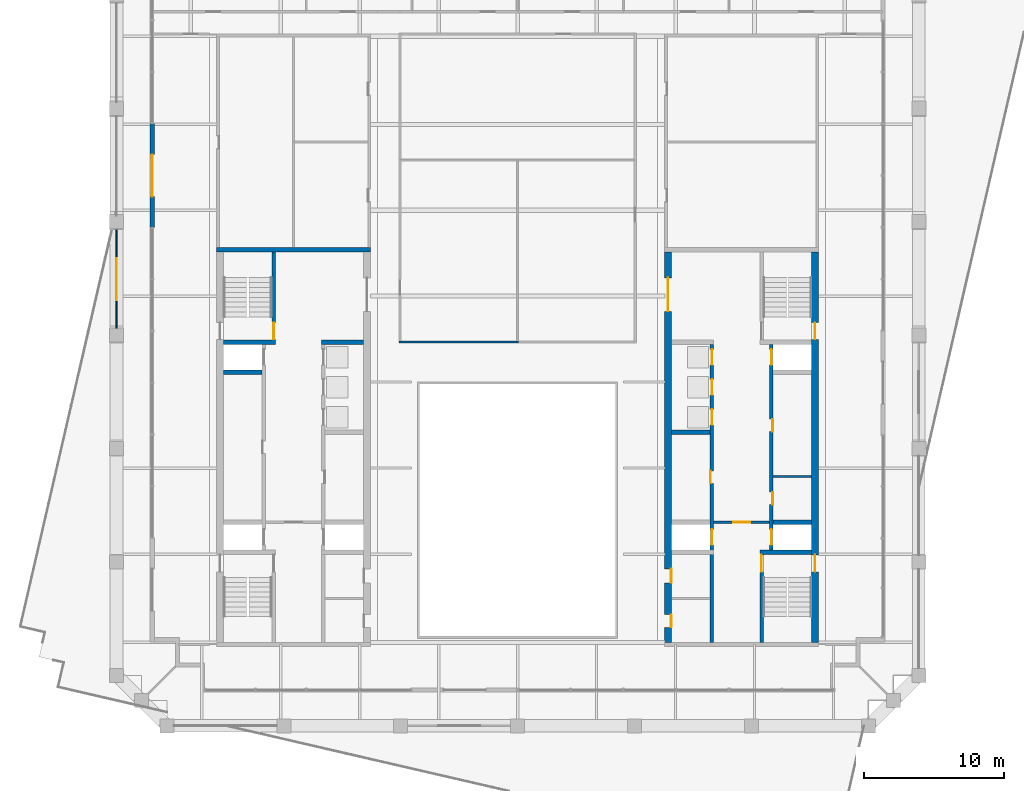
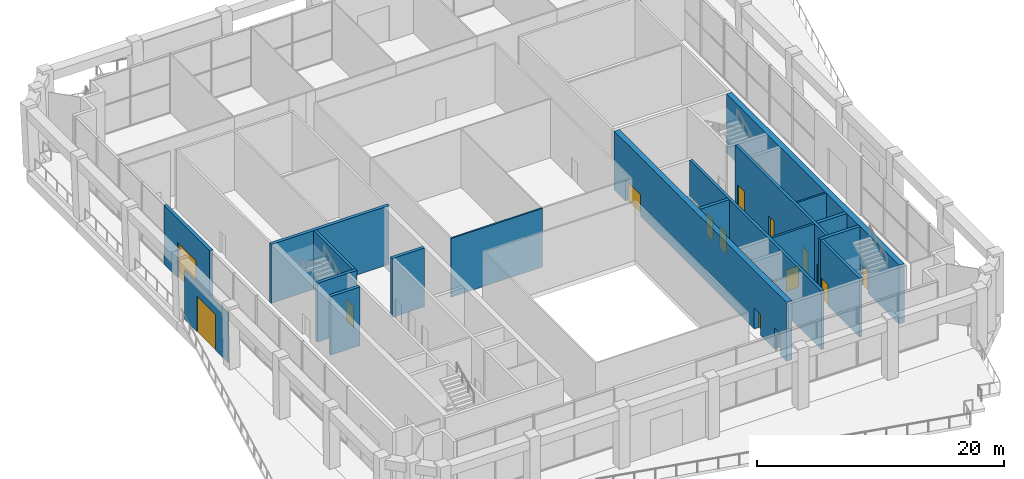
# One storey, part 12 of 20: 19 doors, 18 walls, 19 openings.
"""IFC4 building model written with IfcOpenShell, lengths in metres."""

from ifc_helpers import new_model, si_unit, direction, frame, frame_2d, origin, place, context, subcontext, project, spatial, rectangle, extrude, material, layer, layer_set, type_object, element, fill, save


model = new_model("IFC4")

# Units and contexts
model_context = context("Model", 3, precision=1e-05, world=origin(), true_north=direction((0.0, 1.0)))
body_context = subcontext(model_context, "Body", "Model", "MODEL_VIEW")
ifc_project = project(units=[si_unit("LENGTHUNIT", "METRE"), si_unit("AREAUNIT", "SQUARE_METRE"), si_unit("VOLUMEUNIT", "CUBIC_METRE"), si_unit("PLANEANGLEUNIT", "RADIAN"), si_unit("MASSUNIT", "GRAM", prefix="KILO")], contexts=[model_context])

# Site, building, storey
site_placement = place(None, origin())
site = spatial("IfcSite", under=ifc_project, at=site_placement, CompositionType="ELEMENT")
building_placement = place(site_placement, origin())
building = spatial("IfcBuilding", under=site, at=building_placement, Name="Ogive Exchange Tower", CompositionType="ELEMENT")
storey_placement = place(building_placement, frame((0.0, 0.0, 303.0)))
storey = spatial("IfcBuildingStorey", under=building, at=storey_placement, Name="L66", CompositionType="ELEMENT", Elevation=303.0)

# Walls
ifc_material_1 = material(Name="Gypsum board partition")
ifc_layer_1 = layer(ifc_material_1, 0.14990234375)
ifc_layer_set_1 = layer_set([ifc_layer_1], Name="Core room partition 150 gypsum")
wall_type_1 = type_object("IfcWallType", Name="Core room partition 150 gypsum", PredefinedType="PARTITIONING", material=ifc_layer_set_1)
wall_1_placement = place(storey_placement, frame((18.25, 9.39990234375, 0.0), z_axis=(0.0, 0.0, 1.0), x_axis=(1.0, 0.0, 0.0)))
element("IfcWall", 1, at=wall_1_placement, inside=storey, type_object=wall_type_1, Name="E row A bay partition 1-1", PredefinedType="PARTITIONING", context=body_context, shape_type="SweptSolid", body=[
    extrude(rectangle(XDim=2.75, YDim=0.14990234375, at=frame_2d((1.375, 0.0))), origin(), (0.0, 0.0, 1.0), 5.800048828125),
])
ifc_material_2 = material(Name="Fire partition EI 60 150")
ifc_layer_2 = layer(ifc_material_2, 0.14990234375)
ifc_layer_set_2 = layer_set([ifc_layer_2], Name="Fire partition EI 60 150")
wall_type_2 = type_object("IfcWallType", Name="Fire partition EI 60 150", PredefinedType="PARTITIONING", material=ifc_layer_set_2)
wall_2_placement = place(storey_placement, frame((-8.47509765625, 19.0, 0.0), z_axis=(0.0, 0.0, 1.0), x_axis=(1.0, 0.0, 0.0)))
element("IfcWall", 2, at=wall_2_placement, inside=storey, type_object=wall_type_2, Name="L66-PWL-007", PredefinedType="PARTITIONING", context=body_context, shape_type="SweptSolid", body=[
    extrude(rectangle(XDim=8.525146484375, YDim=0.14990234375, at=frame_2d((4.2626953125, 0.0))), origin(), (0.0, 0.0, 1.0), 5.800048828125),
])

# Wall, opening, door
ifc_material_3 = material(Name="Precast concrete C40/50", Category="concrete")
ifc_layer_3 = layer(ifc_material_3, 0.300048828125)
ifc_layer_set_3 = layer_set([ifc_layer_3], Name="Limestone-faced wall 300")
wall_type_3 = type_object("IfcWallType", Name="Limestone-faced wall 300", PredefinedType="STANDARD", material=ifc_layer_set_3)
wall_3_placement = place(storey_placement, frame((-26.10009765625, 34.60009765625, 0.0), z_axis=(0.0, 0.0, 1.0), x_axis=(0.0, -1.0, 0.0)))
wall_3 = element("IfcWall", 3, at=wall_3_placement, inside=storey, type_object=wall_type_3, Name="External wall W5", PredefinedType="STANDARD", context=body_context, shape_type="SweptSolid", body=[
    extrude(rectangle(XDim=7.400146484375, YDim=0.300048828125, at=frame_2d((3.7001953125, 0.0))), origin(), (0.0, 0.0, 1.0), 5.800048828125),
])
opening_1_placement = place(wall_3_placement, frame((2.199951171875, 0.0, 0.0)))
opening_1 = element("IfcOpeningElement", 4, at=opening_1_placement, cuts=wall_3, Name="Opening D2", PredefinedType="OPENING", context=body_context, shape_type="SweptSolid", body=[
    extrude(rectangle(XDim=3.0, YDim=3.5, at=frame_2d((1.5, 1.75))), frame((0.0, 0.159912109375, 0.0), z_axis=(0.0, -1.0, 0.0), x_axis=(1.0, 0.0, 0.0)), (0.0, 0.0, 1.0), 0.320068359375),
])
ifc_material_4 = material(Name="Clear glass in bronze frame", Category="glass")
door_type_1 = type_object("IfcDoorType", Name="Winter garden sliding door 3000 x 3500", OperationType="DOUBLE_DOOR_SLIDING", PredefinedType="DOOR", material=ifc_material_4)
door_1_placement = place(opening_1_placement, origin())
door_1 = element("IfcDoor", 5, at=door_1_placement, inside=storey, type_object=door_type_1, Name="Loggia door W02", OperationType="DOUBLE_DOOR_SLIDING", OverallHeight=3.5, OverallWidth=3.0, PredefinedType="DOOR", context=body_context, shape_type="SweptSolid", body=[
    extrude(rectangle(XDim=3.0, YDim=3.5, at=frame_2d((1.5, 1.75))), frame((0.0, 0.02490234375, 0.0), z_axis=(0.0, -1.0, 0.0), x_axis=(1.0, 0.0, 0.0)), (0.0, 0.0, 1.0), 0.050048828125),
])
fill(opening_1, door_1)

ifc_material_5 = material(Name="Laminated safety glass in steel frame", Category="steel")
ifc_layer_4 = layer(ifc_material_5, 0.10009765625)
ifc_layer_set_4 = layer_set([ifc_layer_4], Name="Loggia end screen 100")
wall_type_4 = type_object("IfcWallType", Name="Loggia end screen 100", PredefinedType="STANDARD", material=ifc_layer_set_4)
wall_4_placement = place(storey_placement, frame((-28.64990234375, 27.02294921875, 0.0), z_axis=(0.0, 0.0, 1.0), x_axis=(0.0, -1.0, 0.0)))
wall_4 = element("IfcWall", 6, at=wall_4_placement, inside=storey, type_object=wall_type_4, Name="Terrace screen W03", PredefinedType="STANDARD", context=body_context, shape_type="SweptSolid", body=[
    extrude(rectangle(XDim=7.0458984375, YDim=0.10009765625, at=frame_2d((3.52294921875, 0.0))), origin(), (0.0, 0.0, 1.0), 4.85009765625),
])
opening_2_placement = place(wall_4_placement, frame((2.02294921875, 0.0, 0.0)))
opening_2 = element("IfcOpeningElement", 7, at=opening_2_placement, cuts=wall_4, Name="Opening D4", PredefinedType="OPENING", context=body_context, shape_type="SweptSolid", body=[
    extrude(rectangle(XDim=3.0, YDim=3.5, at=frame_2d((1.5, 1.75))), frame((0.0, 0.06005859375, 0.0), z_axis=(0.0, -1.0, 0.0), x_axis=(1.0, 0.0, 0.0)), (0.0, 0.0, 1.0), 0.1201171875),
])
door_type_2 = type_object("IfcDoorType", Name="Terrace sliding door 3000 x 3500", OperationType="DOUBLE_DOOR_SLIDING", PredefinedType="DOOR", material=ifc_material_4)
door_2_placement = place(opening_2_placement, origin())
door_2 = element("IfcDoor", 8, at=door_2_placement, inside=storey, type_object=door_type_2, Name="Terrace door W03", OperationType="DOUBLE_DOOR_SLIDING", OverallHeight=3.5, OverallWidth=3.0, PredefinedType="DOOR", context=body_context, shape_type="SweptSolid", body=[
    extrude(rectangle(XDim=3.0, YDim=3.5, at=frame_2d((1.5, 1.75))), frame((0.0, 0.02490234375, 0.0), z_axis=(0.0, -1.0, 0.0), x_axis=(1.0, 0.0, 0.0)), (0.0, 0.0, 1.0), 0.050048828125),
])
fill(opening_2, door_2)

ifc_material_6 = material(Name="Concrete C70/85", Category="concrete")
ifc_layer_5 = layer(ifc_material_6, 0.199951171875)
ifc_layer_set_5 = layer_set([ifc_layer_5], Name="RC core wall 200 C70/85")
wall_type_5 = type_object("IfcWallType", Name="RC core wall 200 C70/85", PredefinedType="SHEAR", material=ifc_layer_set_5)
wall_5_placement = place(storey_placement, frame((14.0, 6.142822265625, 0.0), z_axis=(0.0, 0.0, 1.0), x_axis=(1.0, 0.0, 0.0)))
wall_5 = element("IfcWall", 9, at=wall_5_placement, inside=storey, type_object=wall_type_5, Name="E firefighting lobby wall", PredefinedType="SHEAR", context=body_context, shape_type="SweptSolid", body=[
    extrude(rectangle(XDim=4.0, YDim=0.199951171875, at=frame_2d((2.0, 0.0))), origin(), (0.0, 0.0, 1.0), 5.800048828125),
])
opening_3_placement = place(wall_5_placement, frame((1.39990234375, 0.0, 0.0)))
opening_3 = element("IfcOpeningElement", 10, at=opening_3_placement, cuts=wall_5, Name="Opening L66-C29", PredefinedType="OPENING", context=body_context, shape_type="SweptSolid", body=[
    extrude(rectangle(XDim=1.199951171875, YDim=2.10009765625, at=frame_2d((0.60009765625, 1.050048828125))), frame((0.0, 0.10986328125, 0.0), z_axis=(0.0, -1.0, 0.0), x_axis=(1.0, 0.0, 0.0)), (0.0, 0.0, 1.0), 0.219970703125),
])
ifc_material_7 = material(Name="Steel fire door", Category="steel")
door_type_3 = type_object("IfcDoorType", Name="Firefighting lobby door FD60 1200 x 2100", OperationType="NOTDEFINED", PredefinedType="DOOR", material=ifc_material_7)
door_3_placement = place(opening_3_placement, frame((1.199951171875, 0.0, 0.0), z_axis=(0.0, 0.0, 1.0), x_axis=(-1.0, 0.0, 0.0)))
door_3 = element("IfcDoor", 11, at=door_3_placement, inside=storey, type_object=door_type_3, Name="Firefighting lobby door", ObjectType="CD3", OperationType="SINGLE_SWING_LEFT", OverallHeight=2.10009765625, OverallWidth=1.199951171875, PredefinedType="DOOR", context=body_context, shape_type="SweptSolid", body=[
    extrude(rectangle(XDim=1.199951171875, YDim=2.10009765625, at=frame_2d((0.60009765625, 1.050048828125))), frame((0.0, 0.02490234375, 0.0), z_axis=(0.0, -1.0, 0.0), x_axis=(1.0, 0.0, 0.0)), (0.0, 0.0, 1.0), 0.050048828125),
])
fill(opening_3, door_3)

ifc_layer_6 = layer(ifc_material_6, 0.25)
ifc_layer_set_6 = layer_set([ifc_layer_6], Name="RC core wall 250 C70/85")
wall_type_6 = type_object("IfcWallType", Name="RC core wall 250 C70/85", PredefinedType="SHEAR", material=ifc_layer_set_6)
wall_6_placement = place(storey_placement, frame((-17.425048828125, 19.14990234375, 0.0), z_axis=(0.0, 0.0, 1.0), x_axis=(0.0, 1.0, 0.0)))
wall_6 = element("IfcWall", 12, at=wall_6_placement, inside=storey, type_object=wall_type_6, Name="W stair N front wall", PredefinedType="SHEAR", context=body_context, shape_type="SweptSolid", body=[
    extrude(rectangle(XDim=6.300048828125, YDim=0.25, at=frame_2d((3.14990234375, 0.0))), origin(), (0.0, 0.0, 1.0), 5.800048828125),
])
opening_4_placement = place(wall_6_placement, frame((0.050048828125, 0.0, 0.0)))
opening_4 = element("IfcOpeningElement", 13, at=opening_4_placement, cuts=wall_6, Name="Opening L66-C13", PredefinedType="OPENING", context=body_context, shape_type="SweptSolid", body=[
    extrude(rectangle(XDim=1.199951171875, YDim=2.10009765625, at=frame_2d((0.60009765625, 1.050048828125))), frame((0.0, 0.135009765625, 0.0), z_axis=(0.0, -1.0, 0.0), x_axis=(1.0, 0.0, 0.0)), (0.0, 0.0, 1.0), 0.27001953125),
])
door_type_4 = type_object("IfcDoorType", Name="Stair door FD90 1200 x 2100", OperationType="NOTDEFINED", PredefinedType="DOOR", material=ifc_material_7)
door_4_placement = place(opening_4_placement, origin())
door_4 = element("IfcDoor", 14, at=door_4_placement, inside=storey, type_object=door_type_4, Name="Stair door", ObjectType="CD5", OperationType="SINGLE_SWING_RIGHT", OverallHeight=2.10009765625, OverallWidth=1.199951171875, PredefinedType="DOOR", context=body_context, shape_type="SweptSolid", body=[
    extrude(rectangle(XDim=1.199951171875, YDim=2.10009765625, at=frame_2d((0.60009765625, 1.050048828125))), frame((0.0, 0.02490234375, 0.0), z_axis=(0.0, -1.0, 0.0), x_axis=(1.0, 0.0, 0.0)), (0.0, 0.0, 1.0), 0.050048828125),
])
fill(opening_4, door_4)

wall_7_placement = place(storey_placement, frame((17.425048828125, -2.449951171875, 0.0), z_axis=(0.0, 0.0, 1.0), x_axis=(0.0, 1.0, 0.0)))
wall_7 = element("IfcWall", 15, at=wall_7_placement, inside=storey, type_object=wall_type_6, Name="E stair S front wall", PredefinedType="SHEAR", context=body_context, shape_type="SweptSolid", body=[
    extrude(rectangle(XDim=6.300048828125, YDim=0.25, at=frame_2d((3.14990234375, 0.0))), origin(), (0.0, 0.0, 1.0), 5.800048828125),
])
opening_5_placement = place(wall_7_placement, frame((5.050048828125, 0.0, 0.0)))
opening_5 = element("IfcOpeningElement", 16, at=opening_5_placement, cuts=wall_7, Name="Opening L66-C31", PredefinedType="OPENING", context=body_context, shape_type="SweptSolid", body=[
    extrude(rectangle(XDim=1.199951171875, YDim=2.10009765625, at=frame_2d((0.60009765625, 1.050048828125))), frame((0.0, 0.135009765625, 0.0), z_axis=(0.0, -1.0, 0.0), x_axis=(1.0, 0.0, 0.0)), (0.0, 0.0, 1.0), 0.27001953125),
])
door_5_placement = place(opening_5_placement, frame((1.199951171875, 0.0, 0.0), z_axis=(0.0, 0.0, 1.0), x_axis=(-1.0, 0.0, 0.0)))
door_5 = element("IfcDoor", 17, at=door_5_placement, inside=storey, type_object=door_type_4, Name="Stair door", ObjectType="CD5", OperationType="SINGLE_SWING_RIGHT", OverallHeight=2.10009765625, OverallWidth=1.199951171875, PredefinedType="DOOR", context=body_context, shape_type="SweptSolid", body=[
    extrude(rectangle(XDim=1.199951171875, YDim=2.10009765625, at=frame_2d((0.60009765625, 1.050048828125))), frame((0.0, 0.02490234375, 0.0), z_axis=(0.0, -1.0, 0.0), x_axis=(1.0, 0.0, 0.0)), (0.0, 0.0, 1.0), 0.050048828125),
])
fill(opening_5, door_5)

# Wall, openings, doors
wall_8_placement = place(storey_placement, frame((18.125, 4.14990234375, 0.0), z_axis=(0.0, 0.0, 1.0), x_axis=(0.0, 1.0, 0.0)))
wall_8 = element("IfcWall", 18, at=wall_8_placement, inside=storey, type_object=wall_type_6, Name="E row A front wall", PredefinedType="SHEAR", context=body_context, shape_type="SweptSolid", body=[
    extrude(rectangle(XDim=14.7001953125, YDim=0.25, at=frame_2d((7.35009765625, 0.0))), origin(), (0.0, 0.0, 1.0), 5.800048828125),
])
opening_6_placement = place(wall_8_placement, frame((3.246337890625, 0.0, 0.0)))
opening_6 = element("IfcOpeningElement", 19, at=opening_6_placement, cuts=wall_8, Name="Opening L66-C20", PredefinedType="OPENING", context=body_context, shape_type="SweptSolid", body=[
    extrude(rectangle(XDim=0.89990234375, YDim=2.10009765625, at=frame_2d((0.449951171875, 1.050048828125))), frame((0.0, 0.135009765625, 0.0), z_axis=(0.0, -1.0, 0.0), x_axis=(1.0, 0.0, 0.0)), (0.0, 0.0, 1.0), 0.27001953125),
])
opening_7_placement = place(wall_8_placement, frame((8.45361328125, 0.0, 0.0)))
opening_7 = element("IfcOpeningElement", 20, at=opening_7_placement, cuts=wall_8, Name="Opening L66-C21", PredefinedType="OPENING", context=body_context, shape_type="SweptSolid", body=[
    extrude(rectangle(XDim=0.89990234375, YDim=2.10009765625, at=frame_2d((0.449951171875, 1.050048828125))), frame((0.0, 0.135009765625, 0.0), z_axis=(0.0, -1.0, 0.0), x_axis=(1.0, 0.0, 0.0)), (0.0, 0.0, 1.0), 0.27001953125),
])
opening_8_placement = place(wall_8_placement, frame((0.371337890625, 0.0, 0.0)))
opening_8 = element("IfcOpeningElement", 21, at=opening_8_placement, cuts=wall_8, Name="Opening L66-C22", PredefinedType="OPENING", context=body_context, shape_type="SweptSolid", body=[
    extrude(rectangle(XDim=1.10009765625, YDim=2.10009765625, at=frame_2d((0.550048828125, 1.050048828125))), frame((0.0, 0.135009765625, 0.0), z_axis=(0.0, -1.0, 0.0), x_axis=(1.0, 0.0, 0.0)), (0.0, 0.0, 1.0), 0.27001953125),
])
opening_9_placement = place(wall_8_placement, frame((13.228515625, 0.0, 0.0)))
opening_9 = element("IfcOpeningElement", 22, at=opening_9_placement, cuts=wall_8, Name="Opening L66-C23", PredefinedType="OPENING", context=body_context, shape_type="SweptSolid", body=[
    extrude(rectangle(XDim=1.10009765625, YDim=2.10009765625, at=frame_2d((0.550048828125, 1.050048828125))), frame((0.0, 0.135009765625, 0.0), z_axis=(0.0, -1.0, 0.0), x_axis=(1.0, 0.0, 0.0)), (0.0, 0.0, 1.0), 0.27001953125),
])
ifc_material_8 = material(Name="Timber fire door", Category="wood")
door_type_5 = type_object("IfcDoorType", Name="Core room door FD30S 900 x 2100", OperationType="NOTDEFINED", PredefinedType="DOOR", material=ifc_material_8)
door_6_placement = place(opening_6_placement, frame((0.89990234375, -0.2001953125, 0.0), z_axis=(0.0, 0.0, 1.0), x_axis=(-1.0, 0.0, 0.0)))
door_6 = element("IfcDoor", 23, at=door_6_placement, inside=storey, type_object=door_type_5, Name="Core room door", ObjectType="CD6", OperationType="SINGLE_SWING_LEFT", OverallHeight=2.10009765625, OverallWidth=0.89990234375, PredefinedType="DOOR", context=body_context, shape_type="SweptSolid", body=[
    extrude(rectangle(XDim=0.89990234375, YDim=2.10009765625, at=frame_2d((0.449951171875, 1.050048828125))), frame((0.0, -0.0751953125, 0.0), z_axis=(0.0, -1.0, 0.0), x_axis=(1.0, 0.0, 0.0)), (0.0, 0.0, 1.0), 0.050048828125),
])
fill(opening_6, door_6)
ifc_material_9 = material(Name="Stainless steel", Category="steel")
door_type_6 = type_object("IfcDoorType", Name="Lift landing door FD90 1100 x 2100", OperationType="SLIDING_TO_LEFT", PredefinedType="DOOR", material=ifc_material_9)
door_7_placement = place(opening_8_placement, origin())
door_7 = element("IfcDoor", 24, at=door_7_placement, inside=storey, type_object=door_type_6, Name="Lift landing door FF2", ObjectType="LD", OperationType="SLIDING_TO_LEFT", OverallHeight=2.10009765625, OverallWidth=1.10009765625, PredefinedType="DOOR", context=body_context, shape_type="SweptSolid", body=[
    extrude(rectangle(XDim=1.10009765625, YDim=2.10009765625, at=frame_2d((0.550048828125, 1.050048828125))), frame((0.0, 0.02490234375, 0.0), z_axis=(0.0, -1.0, 0.0), x_axis=(1.0, 0.0, 0.0)), (0.0, 0.0, 1.0), 0.050048828125),
])
fill(opening_8, door_7)
door_8_placement = place(opening_9_placement, origin())
door_8 = element("IfcDoor", 25, at=door_8_placement, inside=storey, type_object=door_type_6, Name="Lift landing door E-SH2", ObjectType="LD", OperationType="SLIDING_TO_LEFT", OverallHeight=2.10009765625, OverallWidth=1.10009765625, PredefinedType="DOOR", context=body_context, shape_type="SweptSolid", body=[
    extrude(rectangle(XDim=1.10009765625, YDim=2.10009765625, at=frame_2d((0.550048828125, 1.050048828125))), frame((0.0, 0.02490234375, 0.0), z_axis=(0.0, -1.0, 0.0), x_axis=(1.0, 0.0, 0.0)), (0.0, 0.0, 1.0), 0.050048828125),
])
fill(opening_9, door_8)
door_type_7 = type_object("IfcDoorType", Name="Riser door FD60 900 x 2100", OperationType="NOTDEFINED", PredefinedType="DOOR", material=ifc_material_7)
door_9_placement = place(opening_7_placement, frame((0.89990234375, -0.2001953125, 0.0), z_axis=(0.0, 0.0, 1.0), x_axis=(-1.0, 0.0, 0.0)))
door_9 = element("IfcDoor", 26, at=door_9_placement, inside=storey, type_object=door_type_7, Name="Riser door", ObjectType="CD2", OperationType="SINGLE_SWING_LEFT", OverallHeight=2.10009765625, OverallWidth=0.89990234375, PredefinedType="DOOR", context=body_context, shape_type="SweptSolid", body=[
    extrude(rectangle(XDim=0.89990234375, YDim=2.10009765625, at=frame_2d((0.449951171875, 1.050048828125))), frame((0.0, -0.0751953125, 0.0), z_axis=(0.0, -1.0, 0.0), x_axis=(1.0, 0.0, 0.0)), (0.0, 0.0, 1.0), 0.050048828125),
])
fill(opening_7, door_9)

wall_9_placement = place(storey_placement, frame((13.875, -2.449951171875, 0.0), z_axis=(0.0, 0.0, 1.0), x_axis=(0.0, 1.0, 0.0)))
wall_9 = element("IfcWall", 27, at=wall_9_placement, inside=storey, type_object=wall_type_6, Name="E row B front wall", PredefinedType="SHEAR", context=body_context, shape_type="SweptSolid", body=[
    extrude(rectangle(XDim=21.300048828125, YDim=0.25, at=frame_2d((10.64990234375, 0.0))), origin(), (0.0, 0.0, 1.0), 5.800048828125),
])
opening_10_placement = place(wall_9_placement, frame((11.357177734375, 0.0, 0.0)))
opening_10 = element("IfcOpeningElement", 28, at=opening_10_placement, cuts=wall_9, Name="Opening L66-C24", PredefinedType="OPENING", context=body_context, shape_type="SweptSolid", body=[
    extrude(rectangle(XDim=0.89990234375, YDim=2.10009765625, at=frame_2d((0.449951171875, 1.050048828125))), frame((0.0, 0.135009765625, 0.0), z_axis=(0.0, -1.0, 0.0), x_axis=(1.0, 0.0, 0.0)), (0.0, 0.0, 1.0), 0.27001953125),
])
opening_11_placement = place(wall_9_placement, frame((6.971435546875, 0.0, 0.0)))
opening_11 = element("IfcOpeningElement", 29, at=opening_11_placement, cuts=wall_9, Name="Opening L66-C25", PredefinedType="OPENING", context=body_context, shape_type="SweptSolid", body=[
    extrude(rectangle(XDim=1.10009765625, YDim=2.10009765625, at=frame_2d((0.550048828125, 1.050048828125))), frame((0.0, 0.135009765625, 0.0), z_axis=(0.0, -1.0, 0.0), x_axis=(1.0, 0.0, 0.0)), (0.0, 0.0, 1.0), 0.27001953125),
])
opening_12_placement = place(wall_9_placement, frame((15.54296875, 0.0, 0.0)))
opening_12 = element("IfcOpeningElement", 30, at=opening_12_placement, cuts=wall_9, Name="Opening L66-C26", PredefinedType="OPENING", context=body_context, shape_type="SweptSolid", body=[
    extrude(rectangle(XDim=1.10009765625, YDim=2.10009765625, at=frame_2d((0.550048828125, 1.050048828125))), frame((0.0, 0.135009765625, 0.0), z_axis=(0.0, -1.0, 0.0), x_axis=(1.0, 0.0, 0.0)), (0.0, 0.0, 1.0), 0.27001953125),
])
opening_13_placement = place(wall_9_placement, frame((17.685791015625, 0.0, 0.0)))
opening_13 = element("IfcOpeningElement", 31, at=opening_13_placement, cuts=wall_9, Name="Opening L66-C27", PredefinedType="OPENING", context=body_context, shape_type="SweptSolid", body=[
    extrude(rectangle(XDim=1.10009765625, YDim=2.10009765625, at=frame_2d((0.550048828125, 1.050048828125))), frame((0.0, 0.135009765625, 0.0), z_axis=(0.0, -1.0, 0.0), x_axis=(1.0, 0.0, 0.0)), (0.0, 0.0, 1.0), 0.27001953125),
])
opening_14_placement = place(wall_9_placement, frame((19.82861328125, 0.0, 0.0)))
opening_14 = element("IfcOpeningElement", 32, at=opening_14_placement, cuts=wall_9, Name="Opening L66-C28", PredefinedType="OPENING", context=body_context, shape_type="SweptSolid", body=[
    extrude(rectangle(XDim=1.10009765625, YDim=2.10009765625, at=frame_2d((0.550048828125, 1.050048828125))), frame((0.0, 0.135009765625, 0.0), z_axis=(0.0, -1.0, 0.0), x_axis=(1.0, 0.0, 0.0)), (0.0, 0.0, 1.0), 0.27001953125),
])
door_10_placement = place(opening_11_placement, origin())
door_10 = element("IfcDoor", 33, at=door_10_placement, inside=storey, type_object=door_type_6, Name="Lift landing door SV2", ObjectType="LD", OperationType="SLIDING_TO_LEFT", OverallHeight=2.10009765625, OverallWidth=1.10009765625, PredefinedType="DOOR", context=body_context, shape_type="SweptSolid", body=[
    extrude(rectangle(XDim=1.10009765625, YDim=2.10009765625, at=frame_2d((0.550048828125, 1.050048828125))), frame((0.0, 0.02490234375, 0.0), z_axis=(0.0, -1.0, 0.0), x_axis=(1.0, 0.0, 0.0)), (0.0, 0.0, 1.0), 0.050048828125),
])
fill(opening_11, door_10)
door_11_placement = place(opening_12_placement, origin())
door_11 = element("IfcDoor", 34, at=door_11_placement, inside=storey, type_object=door_type_6, Name="Lift landing door E-H1", ObjectType="LD", OperationType="SLIDING_TO_LEFT", OverallHeight=2.10009765625, OverallWidth=1.10009765625, PredefinedType="DOOR", context=body_context, shape_type="SweptSolid", body=[
    extrude(rectangle(XDim=1.10009765625, YDim=2.10009765625, at=frame_2d((0.550048828125, 1.050048828125))), frame((0.0, 0.02490234375, 0.0), z_axis=(0.0, -1.0, 0.0), x_axis=(1.0, 0.0, 0.0)), (0.0, 0.0, 1.0), 0.050048828125),
])
fill(opening_12, door_11)
door_12_placement = place(opening_13_placement, origin())
door_12 = element("IfcDoor", 35, at=door_12_placement, inside=storey, type_object=door_type_6, Name="Lift landing door E-H2", ObjectType="LD", OperationType="SLIDING_TO_LEFT", OverallHeight=2.10009765625, OverallWidth=1.10009765625, PredefinedType="DOOR", context=body_context, shape_type="SweptSolid", body=[
    extrude(rectangle(XDim=1.10009765625, YDim=2.10009765625, at=frame_2d((0.550048828125, 1.050048828125))), frame((0.0, 0.02490234375, 0.0), z_axis=(0.0, -1.0, 0.0), x_axis=(1.0, 0.0, 0.0)), (0.0, 0.0, 1.0), 0.050048828125),
])
fill(opening_13, door_12)
door_13_placement = place(opening_14_placement, origin())
door_13 = element("IfcDoor", 36, at=door_13_placement, inside=storey, type_object=door_type_6, Name="Lift landing door E-H3", ObjectType="LD", OperationType="SLIDING_TO_LEFT", OverallHeight=2.10009765625, OverallWidth=1.10009765625, PredefinedType="DOOR", context=body_context, shape_type="SweptSolid", body=[
    extrude(rectangle(XDim=1.10009765625, YDim=2.10009765625, at=frame_2d((0.550048828125, 1.050048828125))), frame((0.0, 0.02490234375, 0.0), z_axis=(0.0, -1.0, 0.0), x_axis=(1.0, 0.0, 0.0)), (0.0, 0.0, 1.0), 0.050048828125),
])
fill(opening_14, door_13)
door_14_placement = place(opening_10_placement, origin())
door_14 = element("IfcDoor", 37, at=door_14_placement, inside=storey, type_object=door_type_7, Name="Riser door", ObjectType="CD2", OperationType="SINGLE_SWING_LEFT", OverallHeight=2.10009765625, OverallWidth=0.89990234375, PredefinedType="DOOR", context=body_context, shape_type="SweptSolid", body=[
    extrude(rectangle(XDim=0.89990234375, YDim=2.10009765625, at=frame_2d((0.449951171875, 1.050048828125))), frame((0.0, 0.125, 0.0), z_axis=(0.0, -1.0, 0.0), x_axis=(1.0, 0.0, 0.0)), (0.0, 0.0, 1.0), 0.050048828125),
])
fill(opening_10, door_14)

# Walls
ifc_layer_7 = layer(ifc_material_6, 0.300048828125)
ifc_layer_set_7 = layer_set([ifc_layer_7], Name="RC core wall 300 C70/85")
wall_type_7 = type_object("IfcWallType", Name="RC core wall 300 C70/85", PredefinedType="SHEAR", material=ifc_layer_set_7)
wall_10_placement = place(storey_placement, frame((-21.5, 25.60009765625, 0.0), z_axis=(0.0, 0.0, 1.0), x_axis=(1.0, 0.0, 0.0)))
element("IfcWall", 38, at=wall_10_placement, inside=storey, type_object=wall_type_7, Name="W north end wall", PredefinedType="SHEAR", context=body_context, shape_type="SweptSolid", body=[
    extrude(rectangle(XDim=11.0, YDim=0.300048828125, at=frame_2d((5.5, 0.0))), origin(), (0.0, 0.0, 1.0), 5.800048828125),
])
wall_11_placement = place(storey_placement, frame((-21.0, 19.0, 0.0), z_axis=(0.0, 0.0, 1.0), x_axis=(1.0, 0.0, 0.0)))
element("IfcWall", 39, at=wall_11_placement, inside=storey, type_object=wall_type_7, Name="W stair N south wall", PredefinedType="SHEAR", context=body_context, shape_type="SweptSolid", body=[
    extrude(rectangle(XDim=3.699951171875, YDim=0.300048828125, at=frame_2d((1.85009765625, 0.0))), origin(), (0.0, 0.0, 1.0), 5.800048828125),
])
wall_12_placement = place(storey_placement, frame((-21.0, 16.857177734375, 0.0), z_axis=(0.0, 0.0, 1.0), x_axis=(1.0, 0.0, 0.0)))
element("IfcWall", 40, at=wall_12_placement, inside=storey, type_object=wall_type_7, Name="W row A divider 6", PredefinedType="SHEAR", context=body_context, shape_type="SweptSolid", body=[
    extrude(rectangle(XDim=2.75, YDim=0.300048828125, at=frame_2d((1.375, 0.0))), origin(), (0.0, 0.0, 1.0), 5.800048828125),
])
wall_13_placement = place(storey_placement, frame((-14.0, 19.0, 0.0), z_axis=(0.0, 0.0, 1.0), x_axis=(1.0, 0.0, 0.0)))
element("IfcWall", 41, at=wall_13_placement, inside=storey, type_object=wall_type_7, Name="W row B divider 7", PredefinedType="SHEAR", context=body_context, shape_type="SweptSolid", body=[
    extrude(rectangle(XDim=3.0, YDim=0.300048828125, at=frame_2d((1.5, 0.0))), origin(), (0.0, 0.0, 1.0), 5.800048828125),
])
wall_14_placement = place(storey_placement, frame((17.300048828125, 4.0, 0.0), z_axis=(0.0, 0.0, 1.0), x_axis=(1.0, 0.0, 0.0)))
element("IfcWall", 42, at=wall_14_placement, inside=storey, type_object=wall_type_7, Name="E stair S north wall", PredefinedType="SHEAR", context=body_context, shape_type="SweptSolid", body=[
    extrude(rectangle(XDim=3.699951171875, YDim=0.300048828125, at=frame_2d((1.85009765625, 0.0))), origin(), (0.0, 0.0, 1.0), 5.800048828125),
])
for number, where, z_axis, x_axis, name in (
    (43, (18.25, 6.142822265625, 0.0), (0.0, 0.0, 1.0), (1.0, 0.0, 0.0), "E row A divider 1"),
    (44, (11.0, 12.5712890625, 0.0), (0.0, 0.0, 1.0), (1.0, 0.0, 0.0), "E row B divider 4"),
):
    element("IfcWall", number, at=place(storey_placement, frame(where, z_axis=z_axis, x_axis=x_axis)), inside=storey, type_object=wall_type_7, Name=name, PredefinedType="SHEAR", context=body_context, shape_type="SweptSolid", body=[
        extrude(rectangle(XDim=2.75, YDim=0.300048828125, at=frame_2d((1.375, 0.0))), origin(), (0.0, 0.0, 1.0), 5.800048828125),
    ])

# Wall, openings, doors
ifc_layer_8 = layer(ifc_material_6, 0.5)
ifc_layer_set_8 = layer_set([ifc_layer_8], Name="RC core wall 500 C70/85")
wall_type_8 = type_object("IfcWallType", Name="RC core wall 500 C70/85", PredefinedType="SHEAR", material=ifc_layer_set_8)
wall_15_placement = place(storey_placement, frame((21.25, -2.449951171875, 0.0), z_axis=(0.0, 0.0, 1.0), x_axis=(0.0, 1.0, 0.0)))
wall_15 = element("IfcWall", 45, at=wall_15_placement, inside=storey, type_object=wall_type_8, Name="E outer wall", PredefinedType="SHEAR", context=body_context, shape_type="SweptSolid", body=[
    extrude(rectangle(XDim=27.89990234375, YDim=0.5, at=frame_2d((13.949951171875, 0.0))), origin(), (0.0, 0.0, 1.0), 5.800048828125),
])
opening_15_placement = place(wall_15_placement, frame((5.050048828125, 0.0, 0.0)))
opening_15 = element("IfcOpeningElement", 46, at=opening_15_placement, cuts=wall_15, Name="Opening L66-C32", PredefinedType="OPENING", context=body_context, shape_type="SweptSolid", body=[
    extrude(rectangle(XDim=1.199951171875, YDim=2.10009765625, at=frame_2d((0.60009765625, 1.050048828125))), frame((0.0, 0.260009765625, 0.0), z_axis=(0.0, -1.0, 0.0), x_axis=(1.0, 0.0, 0.0)), (0.0, 0.0, 1.0), 0.52001953125),
])
opening_16_placement = place(wall_15_placement, frame((21.64990234375, 0.0, 0.0)))
opening_16 = element("IfcOpeningElement", 47, at=opening_16_placement, cuts=wall_15, Name="Opening L66-C34", PredefinedType="OPENING", context=body_context, shape_type="SweptSolid", body=[
    extrude(rectangle(XDim=1.199951171875, YDim=2.10009765625, at=frame_2d((0.60009765625, 1.050048828125))), frame((0.0, 0.260009765625, 0.0), z_axis=(0.0, -1.0, 0.0), x_axis=(1.0, 0.0, 0.0)), (0.0, 0.0, 1.0), 0.52001953125),
])
door_15_placement = place(opening_15_placement, frame((1.199951171875, 0.0, 0.0), z_axis=(0.0, 0.0, 1.0), x_axis=(-1.0, 0.0, 0.0)))
door_15 = element("IfcDoor", 48, at=door_15_placement, inside=storey, type_object=door_type_4, Name="Stair door", ObjectType="CD5", OperationType="SINGLE_SWING_RIGHT", OverallHeight=2.10009765625, OverallWidth=1.199951171875, PredefinedType="DOOR", context=body_context, shape_type="SweptSolid", body=[
    extrude(rectangle(XDim=1.199951171875, YDim=2.10009765625, at=frame_2d((0.60009765625, 1.050048828125))), frame((0.0, 0.02490234375, 0.0), z_axis=(0.0, -1.0, 0.0), x_axis=(1.0, 0.0, 0.0)), (0.0, 0.0, 1.0), 0.050048828125),
])
fill(opening_15, door_15)
door_16_placement = place(opening_16_placement, frame((1.199951171875, 0.0, 0.0), z_axis=(0.0, 0.0, 1.0), x_axis=(-1.0, 0.0, 0.0)))
door_16 = element("IfcDoor", 49, at=door_16_placement, inside=storey, type_object=door_type_4, Name="Stair door", ObjectType="CD5", OperationType="SINGLE_SWING_LEFT", OverallHeight=2.10009765625, OverallWidth=1.199951171875, PredefinedType="DOOR", context=body_context, shape_type="SweptSolid", body=[
    extrude(rectangle(XDim=1.199951171875, YDim=2.10009765625, at=frame_2d((0.60009765625, 1.050048828125))), frame((0.0, 0.02490234375, 0.0), z_axis=(0.0, -1.0, 0.0), x_axis=(1.0, 0.0, 0.0)), (0.0, 0.0, 1.0), 0.050048828125),
])
fill(opening_16, door_16)

wall_16_placement = place(storey_placement, frame((10.75, -2.449951171875, 0.0), z_axis=(0.0, 0.0, 1.0), x_axis=(0.0, 1.0, 0.0)))
wall_16 = element("IfcWall", 50, at=wall_16_placement, inside=storey, type_object=wall_type_8, Name="E inner wall", PredefinedType="SHEAR", context=body_context, shape_type="SweptSolid", body=[
    extrude(rectangle(XDim=27.89990234375, YDim=0.5, at=frame_2d((13.949951171875, 0.0))), origin(), (0.0, 0.0, 1.0), 5.800048828125),
])
opening_17_placement = place(wall_16_placement, frame((23.64990234375, 0.0, 0.0)))
opening_17 = element("IfcOpeningElement", 51, at=opening_17_placement, cuts=wall_16, Name="Opening L66-C30", PredefinedType="OPENING", context=body_context, shape_type="SweptSolid", body=[
    extrude(rectangle(XDim=2.39990234375, YDim=2.10009765625, at=frame_2d((1.199951171875, 1.050048828125))), frame((0.0, 0.260009765625, 0.0), z_axis=(0.0, -1.0, 0.0), x_axis=(1.0, 0.0, 0.0)), (0.0, 0.0, 1.0), 0.52001953125),
])
opening_18_placement = place(wall_16_placement, frame((1.08740234375, 0.0, 0.0)))
opening_18 = element("IfcOpeningElement", 52, at=opening_18_placement, cuts=wall_16, Name="Opening L66-C35", PredefinedType="OPENING", context=body_context, shape_type="SweptSolid", body=[
    extrude(rectangle(XDim=0.89990234375, YDim=2.10009765625, at=frame_2d((0.449951171875, 1.050048828125))), frame((0.0, 0.260009765625, 0.0), z_axis=(0.0, -1.0, 0.0), x_axis=(1.0, 0.0, 0.0)), (0.0, 0.0, 1.0), 0.52001953125),
])
opening_19_placement = place(wall_16_placement, frame((4.262451171875, 0.0, 0.0)))
opening_19 = element("IfcOpeningElement", 53, at=opening_19_placement, cuts=wall_16, Name="Opening L66-C36", PredefinedType="OPENING", context=body_context, shape_type="SweptSolid", body=[
    extrude(rectangle(XDim=1.0, YDim=2.10009765625, at=frame_2d((0.5, 1.050048828125))), frame((0.0, 0.260009765625, 0.0), z_axis=(0.0, -1.0, 0.0), x_axis=(1.0, 0.0, 0.0)), (0.0, 0.0, 1.0), 0.52001953125),
])
door_type_8 = type_object("IfcDoorType", Name="Accessible WC door FD30S 1000 x 2100", OperationType="NOTDEFINED", PredefinedType="DOOR", material=ifc_material_8)
door_17_placement = place(opening_19_placement, origin())
door_17 = element("IfcDoor", 54, at=door_17_placement, inside=storey, type_object=door_type_8, Name="Accessible WC door", ObjectType="CD7", OperationType="SINGLE_SWING_RIGHT", OverallHeight=2.10009765625, OverallWidth=1.0, PredefinedType="DOOR", context=body_context, shape_type="SweptSolid", body=[
    extrude(rectangle(XDim=1.0, YDim=2.10009765625, at=frame_2d((0.5, 1.050048828125))), frame((0.0, -0.2001953125, 0.0), z_axis=(0.0, -1.0, 0.0), x_axis=(1.0, 0.0, 0.0)), (0.0, 0.0, 1.0), 0.050048828125),
])
fill(opening_19, door_17)
door_18_placement = place(opening_18_placement, origin())
door_18 = element("IfcDoor", 55, at=door_18_placement, inside=storey, type_object=door_type_5, Name="Core room door", ObjectType="CD6", OperationType="SINGLE_SWING_RIGHT", OverallHeight=2.10009765625, OverallWidth=0.89990234375, PredefinedType="DOOR", context=body_context, shape_type="SweptSolid", body=[
    extrude(rectangle(XDim=0.89990234375, YDim=2.10009765625, at=frame_2d((0.449951171875, 1.050048828125))), frame((0.0, -0.2001953125, 0.0), z_axis=(0.0, -1.0, 0.0), x_axis=(1.0, 0.0, 0.0)), (0.0, 0.0, 1.0), 0.050048828125),
])
fill(opening_18, door_18)
ifc_material_10 = material(Name="Glazed steel fire door", Category="steel")
door_type_9 = type_object("IfcDoorType", Name="Lift lobby double door FD60 2400 x 2100", OperationType="DOUBLE_DOOR_SINGLE_SWING", PredefinedType="DOOR", material=ifc_material_10)
door_19_placement = place(opening_17_placement, origin())
door_19 = element("IfcDoor", 56, at=door_19_placement, inside=storey, type_object=door_type_9, Name="Lift lobby double door", ObjectType="CD4", OperationType="DOUBLE_DOOR_SINGLE_SWING", OverallHeight=2.10009765625, OverallWidth=2.39990234375, PredefinedType="DOOR", context=body_context, shape_type="SweptSolid", body=[
    extrude(rectangle(XDim=2.39990234375, YDim=2.10009765625, at=frame_2d((1.199951171875, 1.050048828125))), frame((0.0, 0.02490234375, 0.0), z_axis=(0.0, -1.0, 0.0), x_axis=(1.0, 0.0, 0.0)), (0.0, 0.0, 1.0), 0.050048828125),
])
fill(opening_17, door_19)

save(model, "model.ifc")
